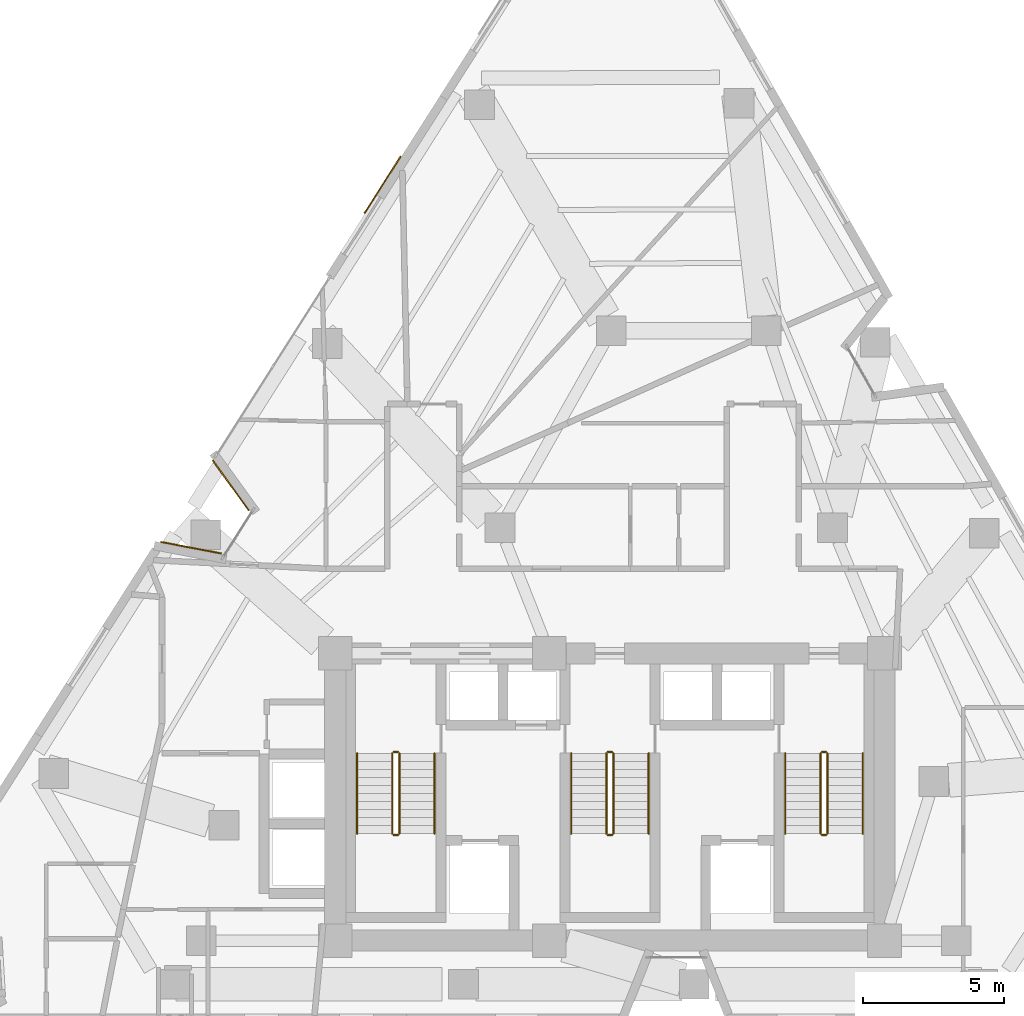
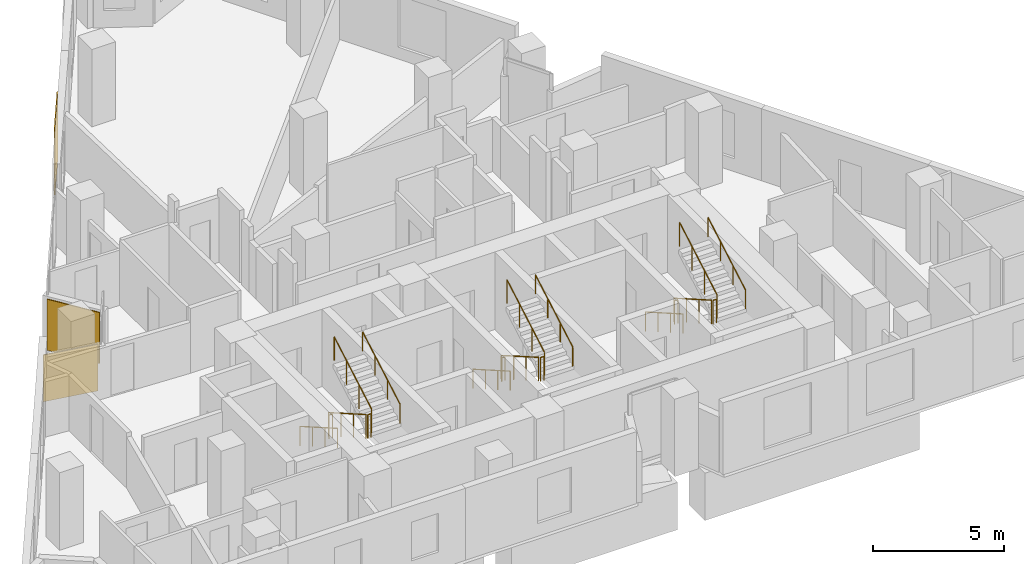
# One storey, part 11 of 12: 18 railings, 3 coverings.
"""IFC4 building model written with IfcOpenShell, lengths in metres."""

from ifc_helpers import new_model, si_unit, direction, frame, origin, origin_2d, place, context, subcontext, project, spatial, rectangle, circle, extrude, material, layer, layer_set, type_object, element, save


model = new_model("IFC4")

# Units and contexts
model_context = context("Model", 3, precision=1e-05, world=origin(), true_north=direction((0.0, 1.0)))
body_context = subcontext(model_context, "Body", "Model", "MODEL_VIEW")
ifc_project = project(units=[si_unit("LENGTHUNIT", "METRE"), si_unit("AREAUNIT", "SQUARE_METRE"), si_unit("VOLUMEUNIT", "CUBIC_METRE"), si_unit("PLANEANGLEUNIT", "RADIAN"), si_unit("MASSUNIT", "GRAM", prefix="KILO")], contexts=[model_context])

# Site, building, storey
site_placement = place(None, origin())
site = spatial("IfcSite", under=ifc_project, at=site_placement, CompositionType="ELEMENT")
building_placement = place(site_placement, origin())
building = spatial("IfcBuilding", under=site, at=building_placement, Name="Almagre Mirador Tower", CompositionType="ELEMENT")
storey_placement = place(building_placement, frame((0.0, 0.0, 132.0)))
storey = spatial("IfcBuildingStorey", under=building, at=storey_placement, Name="L33", CompositionType="ELEMENT", Elevation=132.0)

# Coverings
ifc_material_1 = material(Name="Almagre terracotta architectural cladding", Category="masonry")
ifc_layer = layer(ifc_material_1, 0.044921875)
ifc_layer_set = layer_set([ifc_layer], Name="Almagre terracotta architectural cladding")
covering_type = type_object("IfcCoveringType", Name="COV-CLAD-ALMAGRE", PredefinedType="CLADDING", material=ifc_layer_set)
covering_1_placement = place(storey_placement, frame((22.431884765625, 18.498046875, 0.10009765625), z_axis=(0.0, 0.0, 1.0), x_axis=(0.982333007297, -0.18714129094, 0.0)))
element("IfcCovering", 1, at=covering_1_placement, inside=storey, type_object=covering_type, Name="L33 almagre terracotta pier cladding", PredefinedType="CLADDING", context=body_context, shape_type="SweptSolid", body=[
    extrude(rectangle(XDim=2.194091796875, YDim=0.044921875, at=origin_2d()), origin(), (0.0, 0.0, 1.0), 2.177001953125),
])
covering_2_placement = place(storey_placement, frame((23.841796875, 20.7109375, 0.10009765625), z_axis=(0.0, 0.0, 1.0), x_axis=(-0.585537910268, 0.810645024434, 0.0)))
element("IfcCovering", 2, at=covering_2_placement, inside=storey, type_object=covering_type, Name="L33 almagre terracotta pier cladding", PredefinedType="CLADDING", context=body_context, shape_type="SweptSolid", body=[
    extrude(rectangle(XDim=2.194091796875, YDim=0.044921875, at=origin_2d()), origin(), (0.0, 0.0, 1.0), 2.375),
])
covering_3_placement = place(storey_placement, frame((29.23193359375, 31.380615234375, 0.10009765625), z_axis=(0.0, 0.0, 1.0), x_axis=(0.537122957072, 0.843503959081, 0.0)))
element("IfcCovering", 3, at=covering_3_placement, inside=storey, type_object=covering_type, Name="L33 almagre terracotta pier cladding", PredefinedType="CLADDING", context=body_context, shape_type="SweptSolid", body=[
    extrude(rectangle(XDim=2.39990234375, YDim=0.044921875, at=origin_2d()), origin(), (0.0, 0.0, 1.0), 3.14990234375),
])

# Railings
ifc_material_2 = material(Name="Painted galvanized steel", Category="steel")
railing_type_1 = type_object("IfcRailingType", Name="RLG-GRD-1100", PredefinedType="GUARDRAIL", material=ifc_material_2)
railing_1_placement = place(storey_placement, frame((29.574951171875, 11.199951171875, 0.16357421875)))
element("IfcRailing", 4, at=railing_1_placement, inside=storey, type_object=railing_type_1, Name="L33 ST-1 stair guard 1", PredefinedType="GUARDRAIL", context=body_context, shape_type="SweptSolid", body=[
    extrude(circle(Radius=0.02392578125, at=origin_2d()), frame((0.0, 0.0, 1.09619140625), z_axis=(0.0, -0.867194282975, 0.497969954491), x_axis=(1.0, 0.0, 0.0)), (0.0, 0.0, 1.0), 3.286376953125),
    extrude(circle(Radius=0.02099609375, at=origin_2d()), origin(), (0.0, 0.0, 1.0), 1.072021484375),
    extrude(circle(Radius=0.02099609375, at=origin_2d()), frame((0.0, -0.949951171875, 0.54541015625)), (0.0, 0.0, 1.0), 1.072021484375),
    extrude(circle(Radius=0.02099609375, at=origin_2d()), frame((0.0, -1.89990234375, 1.091064453125)), (0.0, 0.0, 1.0), 1.072021484375),
    extrude(circle(Radius=0.02099609375, at=origin_2d()), frame((0.0, -2.849853515625, 1.636474609375)), (0.0, 0.0, 1.0), 1.072021484375),
])
railing_2_placement = place(storey_placement, frame((29.625, 8.300048828125, 1.800048828125)))
element("IfcRailing", 5, at=railing_2_placement, inside=storey, type_object=railing_type_1, Name="L33 ST-1 stair guard 2", PredefinedType="GUARDRAIL", context=body_context, shape_type="SweptSolid", body=[
    extrude(circle(Radius=0.02392578125, at=origin_2d()), frame((0.0, 0.0, 1.09619140625), z_axis=(1.0, 0.0, 0.0), x_axis=(0.0, 1.0, 0.0)), (0.0, 0.0, 1.0), 0.14990234375),
    extrude(circle(Radius=0.02099609375, at=origin_2d()), origin(), (0.0, 0.0, 1.0), 1.072021484375),
    extrude(circle(Radius=0.02099609375, at=origin_2d()), frame((0.14990234375, 0.0, 0.0)), (0.0, 0.0, 1.0), 1.072021484375),
])
railing_3_placement = place(storey_placement, frame((29.824951171875, 8.35009765625, 1.963623046875)))
element("IfcRailing", 6, at=railing_3_placement, inside=storey, type_object=railing_type_1, Name="L33 ST-1 stair guard 3", PredefinedType="GUARDRAIL", context=body_context, shape_type="SweptSolid", body=[
    extrude(circle(Radius=0.02392578125, at=origin_2d()), frame((0.0, 0.0, 1.09619140625), z_axis=(0.0, 0.867194282975, 0.497969954491), x_axis=(-1.0, 0.0, 0.0)), (0.0, 0.0, 1.0), 3.286376953125),
    extrude(circle(Radius=0.02099609375, at=origin_2d()), origin(), (0.0, 0.0, 1.0), 1.072021484375),
    extrude(circle(Radius=0.02099609375, at=origin_2d()), frame((0.0, 0.949951171875, 0.54541015625)), (0.0, 0.0, 1.0), 1.072021484375),
    extrude(circle(Radius=0.02099609375, at=origin_2d()), frame((0.0, 1.89990234375, 1.091064453125)), (0.0, 0.0, 1.0), 1.072021484375),
    extrude(circle(Radius=0.02099609375, at=origin_2d()), frame((0.0, 2.849853515625, 1.636474609375)), (0.0, 0.0, 1.0), 1.072021484375),
])
railing_4_placement = place(storey_placement, frame((29.625, 11.25, 0.0)))
element("IfcRailing", 7, at=railing_4_placement, inside=storey, type_object=railing_type_1, Name="L33 ST-1 stair guard 4", PredefinedType="GUARDRAIL", context=body_context, shape_type="SweptSolid", body=[
    extrude(circle(Radius=0.02392578125, at=origin_2d()), frame((0.0, 0.0, 1.09619140625), z_axis=(1.0, 0.0, 0.0), x_axis=(0.0, 1.0, 0.0)), (0.0, 0.0, 1.0), 0.14990234375),
    extrude(circle(Radius=0.02099609375, at=origin_2d()), origin(), (0.0, 0.0, 1.0), 1.072021484375),
    extrude(circle(Radius=0.02099609375, at=origin_2d()), frame((0.14990234375, 0.0, 0.0)), (0.0, 0.0, 1.0), 1.072021484375),
])
railing_5_placement = place(storey_placement, frame((37.175048828125, 11.199951171875, 0.16357421875)))
element("IfcRailing", 8, at=railing_5_placement, inside=storey, type_object=railing_type_1, Name="L33 ST-2 stair guard 1", PredefinedType="GUARDRAIL", context=body_context, shape_type="SweptSolid", body=[
    extrude(circle(Radius=0.02392578125, at=origin_2d()), frame((0.0, 0.0, 1.09619140625), z_axis=(0.0, -0.867194282975, 0.497969954491), x_axis=(1.0, 0.0, 0.0)), (0.0, 0.0, 1.0), 3.286376953125),
    extrude(circle(Radius=0.02099609375, at=origin_2d()), origin(), (0.0, 0.0, 1.0), 1.072021484375),
    extrude(circle(Radius=0.02099609375, at=origin_2d()), frame((0.0, -0.949951171875, 0.54541015625)), (0.0, 0.0, 1.0), 1.072021484375),
    extrude(circle(Radius=0.02099609375, at=origin_2d()), frame((0.0, -1.89990234375, 1.091064453125)), (0.0, 0.0, 1.0), 1.072021484375),
    extrude(circle(Radius=0.02099609375, at=origin_2d()), frame((0.0, -2.849853515625, 1.636474609375)), (0.0, 0.0, 1.0), 1.072021484375),
])
railing_6_placement = place(storey_placement, frame((37.22509765625, 8.300048828125, 1.800048828125)))
element("IfcRailing", 9, at=railing_6_placement, inside=storey, type_object=railing_type_1, Name="L33 ST-2 stair guard 2", PredefinedType="GUARDRAIL", context=body_context, shape_type="SweptSolid", body=[
    extrude(circle(Radius=0.02392578125, at=origin_2d()), frame((0.0, 0.0, 1.09619140625), z_axis=(1.0, 0.0, 0.0), x_axis=(0.0, 1.0, 0.0)), (0.0, 0.0, 1.0), 0.14990234375),
    extrude(circle(Radius=0.02099609375, at=origin_2d()), origin(), (0.0, 0.0, 1.0), 1.072021484375),
    extrude(circle(Radius=0.02099609375, at=origin_2d()), frame((0.14990234375, 0.0, 0.0)), (0.0, 0.0, 1.0), 1.072021484375),
])
railing_7_placement = place(storey_placement, frame((37.425048828125, 8.35009765625, 1.963623046875)))
element("IfcRailing", 10, at=railing_7_placement, inside=storey, type_object=railing_type_1, Name="L33 ST-2 stair guard 3", PredefinedType="GUARDRAIL", context=body_context, shape_type="SweptSolid", body=[
    extrude(circle(Radius=0.02392578125, at=origin_2d()), frame((0.0, 0.0, 1.09619140625), z_axis=(0.0, 0.867194282975, 0.497969954491), x_axis=(-1.0, 0.0, 0.0)), (0.0, 0.0, 1.0), 3.286376953125),
    extrude(circle(Radius=0.02099609375, at=origin_2d()), origin(), (0.0, 0.0, 1.0), 1.072021484375),
    extrude(circle(Radius=0.02099609375, at=origin_2d()), frame((0.0, 0.949951171875, 0.54541015625)), (0.0, 0.0, 1.0), 1.072021484375),
    extrude(circle(Radius=0.02099609375, at=origin_2d()), frame((0.0, 1.89990234375, 1.091064453125)), (0.0, 0.0, 1.0), 1.072021484375),
    extrude(circle(Radius=0.02099609375, at=origin_2d()), frame((0.0, 2.849853515625, 1.636474609375)), (0.0, 0.0, 1.0), 1.072021484375),
])
railing_8_placement = place(storey_placement, frame((37.22509765625, 11.25, 0.0)))
element("IfcRailing", 11, at=railing_8_placement, inside=storey, type_object=railing_type_1, Name="L33 ST-2 stair guard 4", PredefinedType="GUARDRAIL", context=body_context, shape_type="SweptSolid", body=[
    extrude(circle(Radius=0.02392578125, at=origin_2d()), frame((0.0, 0.0, 1.09619140625), z_axis=(1.0, 0.0, 0.0), x_axis=(0.0, 1.0, 0.0)), (0.0, 0.0, 1.0), 0.14990234375),
    extrude(circle(Radius=0.02099609375, at=origin_2d()), origin(), (0.0, 0.0, 1.0), 1.072021484375),
    extrude(circle(Radius=0.02099609375, at=origin_2d()), frame((0.14990234375, 0.0, 0.0)), (0.0, 0.0, 1.0), 1.072021484375),
])
railing_9_placement = place(storey_placement, frame((44.77490234375, 11.199951171875, 0.16357421875)))
element("IfcRailing", 12, at=railing_9_placement, inside=storey, type_object=railing_type_1, Name="L33 ST-3 stair guard 1", PredefinedType="GUARDRAIL", context=body_context, shape_type="SweptSolid", body=[
    extrude(circle(Radius=0.02392578125, at=origin_2d()), frame((0.0, 0.0, 1.09619140625), z_axis=(0.0, -0.867194282975, 0.497969954491), x_axis=(1.0, 0.0, 0.0)), (0.0, 0.0, 1.0), 3.286376953125),
    extrude(circle(Radius=0.02099609375, at=origin_2d()), origin(), (0.0, 0.0, 1.0), 1.072021484375),
    extrude(circle(Radius=0.02099609375, at=origin_2d()), frame((0.0, -0.949951171875, 0.54541015625)), (0.0, 0.0, 1.0), 1.072021484375),
    extrude(circle(Radius=0.02099609375, at=origin_2d()), frame((0.0, -1.89990234375, 1.091064453125)), (0.0, 0.0, 1.0), 1.072021484375),
    extrude(circle(Radius=0.02099609375, at=origin_2d()), frame((0.0, -2.849853515625, 1.636474609375)), (0.0, 0.0, 1.0), 1.072021484375),
])
railing_10_placement = place(storey_placement, frame((44.824951171875, 8.300048828125, 1.800048828125)))
element("IfcRailing", 13, at=railing_10_placement, inside=storey, type_object=railing_type_1, Name="L33 ST-3 stair guard 2", PredefinedType="GUARDRAIL", context=body_context, shape_type="SweptSolid", body=[
    extrude(circle(Radius=0.02392578125, at=origin_2d()), frame((0.0, 0.0, 1.09619140625), z_axis=(1.0, 0.0, 0.0), x_axis=(0.0, 1.0, 0.0)), (0.0, 0.0, 1.0), 0.150146484375),
    extrude(circle(Radius=0.02099609375, at=origin_2d()), origin(), (0.0, 0.0, 1.0), 1.072021484375),
    extrude(circle(Radius=0.02099609375, at=origin_2d()), frame((0.150146484375, 0.0, 0.0)), (0.0, 0.0, 1.0), 1.072021484375),
])
railing_11_placement = place(storey_placement, frame((45.02490234375, 8.35009765625, 1.963623046875)))
element("IfcRailing", 14, at=railing_11_placement, inside=storey, type_object=railing_type_1, Name="L33 ST-3 stair guard 3", PredefinedType="GUARDRAIL", context=body_context, shape_type="SweptSolid", body=[
    extrude(circle(Radius=0.02392578125, at=origin_2d()), frame((0.0, 0.0, 1.09619140625), z_axis=(0.0, 0.867194282975, 0.497969954491), x_axis=(-1.0, 0.0, 0.0)), (0.0, 0.0, 1.0), 3.286376953125),
    extrude(circle(Radius=0.02099609375, at=origin_2d()), origin(), (0.0, 0.0, 1.0), 1.072021484375),
    extrude(circle(Radius=0.02099609375, at=origin_2d()), frame((0.0, 0.949951171875, 0.54541015625)), (0.0, 0.0, 1.0), 1.072021484375),
    extrude(circle(Radius=0.02099609375, at=origin_2d()), frame((0.0, 1.89990234375, 1.091064453125)), (0.0, 0.0, 1.0), 1.072021484375),
    extrude(circle(Radius=0.02099609375, at=origin_2d()), frame((0.0, 2.849853515625, 1.636474609375)), (0.0, 0.0, 1.0), 1.072021484375),
])
railing_12_placement = place(storey_placement, frame((44.824951171875, 11.25, 0.0)))
element("IfcRailing", 15, at=railing_12_placement, inside=storey, type_object=railing_type_1, Name="L33 ST-3 stair guard 4", PredefinedType="GUARDRAIL", context=body_context, shape_type="SweptSolid", body=[
    extrude(circle(Radius=0.02392578125, at=origin_2d()), frame((0.0, 0.0, 1.09619140625), z_axis=(1.0, 0.0, 0.0), x_axis=(0.0, 1.0, 0.0)), (0.0, 0.0, 1.0), 0.150146484375),
    extrude(circle(Radius=0.02099609375, at=origin_2d()), origin(), (0.0, 0.0, 1.0), 1.072021484375),
    extrude(circle(Radius=0.02099609375, at=origin_2d()), frame((0.150146484375, 0.0, 0.0)), (0.0, 0.0, 1.0), 1.072021484375),
])
ifc_material_3 = material(Name="Brushed stainless steel", Category="steel")
railing_type_2 = type_object("IfcRailingType", Name="RLG-HND-915", PredefinedType="HANDRAIL", material=ifc_material_3)
railing_13_placement = place(storey_placement, frame((28.324951171875, 11.199951171875, 0.16357421875)))
element("IfcRailing", 16, at=railing_13_placement, inside=storey, type_object=railing_type_2, Name="L33 ST-1 stair handrail 1", PredefinedType="HANDRAIL", context=body_context, shape_type="SweptSolid", body=[
    extrude(circle(Radius=0.02392578125, at=origin_2d()), frame((0.0, 0.0, 0.89111328125), z_axis=(0.0, -0.867194282975, 0.497969954491), x_axis=(1.0, 0.0, 0.0)), (0.0, 0.0, 1.0), 3.286376953125),
    extrude(circle(Radius=0.02099609375, at=origin_2d()), origin(), (0.0, 0.0, 1.0), 0.866943359375),
    extrude(circle(Radius=0.02099609375, at=origin_2d()), frame((0.0, -0.949951171875, 0.54541015625)), (0.0, 0.0, 1.0), 0.866943359375),
    extrude(circle(Radius=0.02099609375, at=origin_2d()), frame((0.0, -1.89990234375, 1.091064453125)), (0.0, 0.0, 1.0), 0.866943359375),
    extrude(circle(Radius=0.02099609375, at=origin_2d()), frame((0.0, -2.849853515625, 1.636474609375)), (0.0, 0.0, 1.0), 0.866943359375),
])
railing_14_placement = place(storey_placement, frame((31.074951171875, 8.35009765625, 1.963623046875)))
element("IfcRailing", 17, at=railing_14_placement, inside=storey, type_object=railing_type_2, Name="L33 ST-1 stair handrail 2", PredefinedType="HANDRAIL", context=body_context, shape_type="SweptSolid", body=[
    extrude(circle(Radius=0.02392578125, at=origin_2d()), frame((0.0, 0.0, 0.89111328125), z_axis=(0.0, 0.867194282975, 0.497969954491), x_axis=(-1.0, 0.0, 0.0)), (0.0, 0.0, 1.0), 3.286376953125),
    extrude(circle(Radius=0.02099609375, at=origin_2d()), origin(), (0.0, 0.0, 1.0), 0.866943359375),
    extrude(circle(Radius=0.02099609375, at=origin_2d()), frame((0.0, 0.949951171875, 0.54541015625)), (0.0, 0.0, 1.0), 0.866943359375),
    extrude(circle(Radius=0.02099609375, at=origin_2d()), frame((0.0, 1.89990234375, 1.091064453125)), (0.0, 0.0, 1.0), 0.866943359375),
    extrude(circle(Radius=0.02099609375, at=origin_2d()), frame((0.0, 2.849853515625, 1.636474609375)), (0.0, 0.0, 1.0), 0.866943359375),
])
railing_15_placement = place(storey_placement, frame((35.925048828125, 11.199951171875, 0.16357421875)))
element("IfcRailing", 18, at=railing_15_placement, inside=storey, type_object=railing_type_2, Name="L33 ST-2 stair handrail 1", PredefinedType="HANDRAIL", context=body_context, shape_type="SweptSolid", body=[
    extrude(circle(Radius=0.02392578125, at=origin_2d()), frame((0.0, 0.0, 0.89111328125), z_axis=(0.0, -0.867194282975, 0.497969954491), x_axis=(1.0, 0.0, 0.0)), (0.0, 0.0, 1.0), 3.286376953125),
    extrude(circle(Radius=0.02099609375, at=origin_2d()), origin(), (0.0, 0.0, 1.0), 0.866943359375),
    extrude(circle(Radius=0.02099609375, at=origin_2d()), frame((0.0, -0.949951171875, 0.54541015625)), (0.0, 0.0, 1.0), 0.866943359375),
    extrude(circle(Radius=0.02099609375, at=origin_2d()), frame((0.0, -1.89990234375, 1.091064453125)), (0.0, 0.0, 1.0), 0.866943359375),
    extrude(circle(Radius=0.02099609375, at=origin_2d()), frame((0.0, -2.849853515625, 1.636474609375)), (0.0, 0.0, 1.0), 0.866943359375),
])
railing_16_placement = place(storey_placement, frame((38.675048828125, 8.35009765625, 1.963623046875)))
element("IfcRailing", 19, at=railing_16_placement, inside=storey, type_object=railing_type_2, Name="L33 ST-2 stair handrail 2", PredefinedType="HANDRAIL", context=body_context, shape_type="SweptSolid", body=[
    extrude(circle(Radius=0.02392578125, at=origin_2d()), frame((0.0, 0.0, 0.89111328125), z_axis=(0.0, 0.867194282975, 0.497969954491), x_axis=(-1.0, 0.0, 0.0)), (0.0, 0.0, 1.0), 3.286376953125),
    extrude(circle(Radius=0.02099609375, at=origin_2d()), origin(), (0.0, 0.0, 1.0), 0.866943359375),
    extrude(circle(Radius=0.02099609375, at=origin_2d()), frame((0.0, 0.949951171875, 0.54541015625)), (0.0, 0.0, 1.0), 0.866943359375),
    extrude(circle(Radius=0.02099609375, at=origin_2d()), frame((0.0, 1.89990234375, 1.091064453125)), (0.0, 0.0, 1.0), 0.866943359375),
    extrude(circle(Radius=0.02099609375, at=origin_2d()), frame((0.0, 2.849853515625, 1.636474609375)), (0.0, 0.0, 1.0), 0.866943359375),
])
railing_17_placement = place(storey_placement, frame((43.52490234375, 11.199951171875, 0.16357421875)))
element("IfcRailing", 20, at=railing_17_placement, inside=storey, type_object=railing_type_2, Name="L33 ST-3 stair handrail 1", PredefinedType="HANDRAIL", context=body_context, shape_type="SweptSolid", body=[
    extrude(circle(Radius=0.02392578125, at=origin_2d()), frame((0.0, 0.0, 0.89111328125), z_axis=(0.0, -0.867194282975, 0.497969954491), x_axis=(1.0, 0.0, 0.0)), (0.0, 0.0, 1.0), 3.286376953125),
    extrude(circle(Radius=0.02099609375, at=origin_2d()), origin(), (0.0, 0.0, 1.0), 0.866943359375),
    extrude(circle(Radius=0.02099609375, at=origin_2d()), frame((0.0, -0.949951171875, 0.54541015625)), (0.0, 0.0, 1.0), 0.866943359375),
    extrude(circle(Radius=0.02099609375, at=origin_2d()), frame((0.0, -1.89990234375, 1.091064453125)), (0.0, 0.0, 1.0), 0.866943359375),
    extrude(circle(Radius=0.02099609375, at=origin_2d()), frame((0.0, -2.849853515625, 1.636474609375)), (0.0, 0.0, 1.0), 0.866943359375),
])
railing_18_placement = place(storey_placement, frame((46.27490234375, 8.35009765625, 1.963623046875)))
element("IfcRailing", 21, at=railing_18_placement, inside=storey, type_object=railing_type_2, Name="L33 ST-3 stair handrail 2", PredefinedType="HANDRAIL", context=body_context, shape_type="SweptSolid", body=[
    extrude(circle(Radius=0.02392578125, at=origin_2d()), frame((0.0, 0.0, 0.89111328125), z_axis=(0.0, 0.867194282975, 0.497969954491), x_axis=(-1.0, 0.0, 0.0)), (0.0, 0.0, 1.0), 3.286376953125),
    extrude(circle(Radius=0.02099609375, at=origin_2d()), origin(), (0.0, 0.0, 1.0), 0.866943359375),
    extrude(circle(Radius=0.02099609375, at=origin_2d()), frame((0.0, 0.949951171875, 0.54541015625)), (0.0, 0.0, 1.0), 0.866943359375),
    extrude(circle(Radius=0.02099609375, at=origin_2d()), frame((0.0, 1.89990234375, 1.091064453125)), (0.0, 0.0, 1.0), 0.866943359375),
    extrude(circle(Radius=0.02099609375, at=origin_2d()), frame((0.0, 2.849853515625, 1.636474609375)), (0.0, 0.0, 1.0), 0.866943359375),
])

save(model, "model.ifc")
